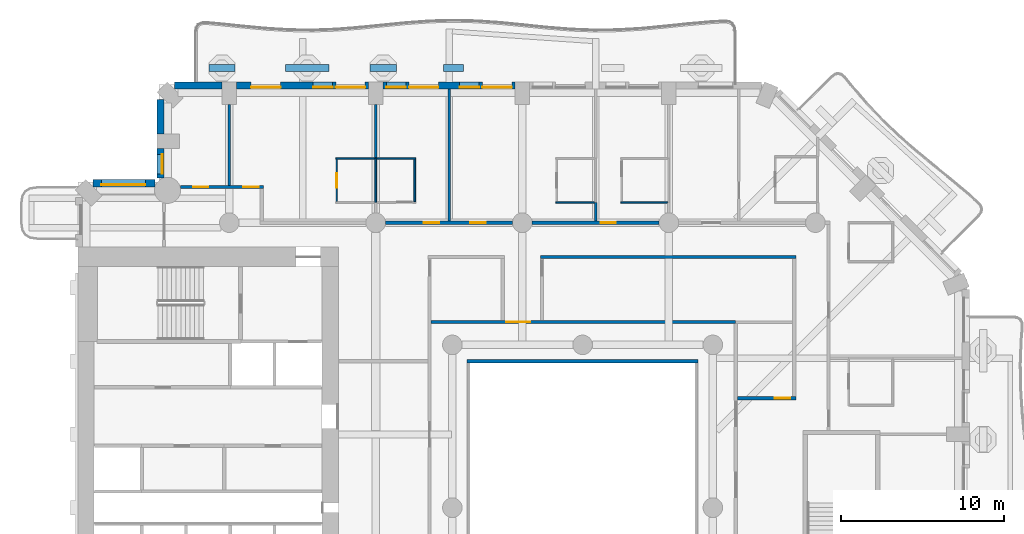
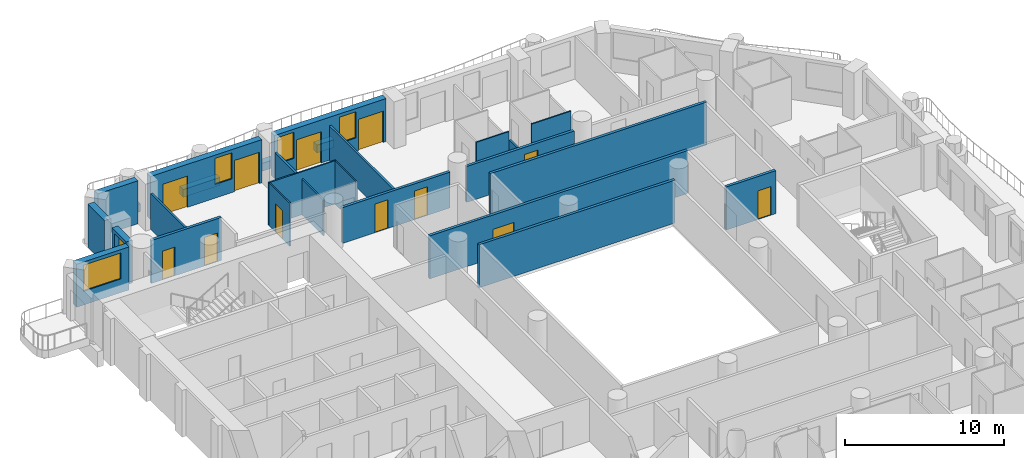
# One storey, part 8 of 20: 27 walls, 12 doors, 5 windows, 17 openings.
"""IFC4 building model written with IfcOpenShell, lengths in metres."""

from ifc_helpers import new_model, si_unit, direction, frame, frame_2d, origin, place, context, subcontext, project, spatial, rectangle, extrude, material, layer, layer_set, type_object, element, fill, save


model = new_model("IFC4")

# Units and contexts
model_context = context("Model", 3, precision=1e-05, world=origin(), true_north=direction((0.0, 1.0)))
body_context = subcontext(model_context, "Body", "Model", "MODEL_VIEW")
ifc_project = project(units=[si_unit("LENGTHUNIT", "METRE"), si_unit("AREAUNIT", "SQUARE_METRE"), si_unit("VOLUMEUNIT", "CUBIC_METRE"), si_unit("PLANEANGLEUNIT", "RADIAN"), si_unit("MASSUNIT", "GRAM", prefix="KILO")], contexts=[model_context])

# Site, building, storey
site_placement = place(None, origin())
site = spatial("IfcSite", under=ifc_project, at=site_placement, CompositionType="ELEMENT")
building_placement = place(site_placement, origin())
building = spatial("IfcBuilding", under=site, at=building_placement, Name="Cypress Arch Tower", CompositionType="ELEMENT")
storey_placement = place(building_placement, frame((0.0, 0.0, 55.5)))
storey = spatial("IfcBuildingStorey", under=building, at=storey_placement, Name="L07", CompositionType="ELEMENT", Elevation=55.5)

# Walls
ifc_material_1 = material(Name="Concrete C40/50, waterproofed", Category="concrete")
ifc_layer_1 = layer(ifc_material_1, 0.449951171875)
ifc_layer_set_1 = layer_set([ifc_layer_1], Name="Balcony planter wall PW450")
wall_type_1 = type_object("IfcWallType", Name="Balcony planter wall PW450", PredefinedType="SOLIDWALL", material=ifc_layer_set_1)
wall_1_placement = place(storey_placement, frame((-6.300048828125, 27.0, 0.0), z_axis=(0.0, 0.0, 1.0), x_axis=(-1.0, 0.0, 0.0)))
element("IfcWall", 1, at=wall_1_placement, inside=storey, type_object=wall_type_1, Name="Balcony planter wall L07-A08.3", PredefinedType="SOLIDWALL", context=body_context, shape_type="SweptSolid", body=[
    extrude(rectangle(XDim=1.25, YDim=0.449951171875, at=frame_2d((0.625, 0.0))), origin(), (0.0, 0.0, 1.0), 0.60009765625),
])
wall_2_placement = place(storey_placement, frame((-10.4375, 27.0, 0.0), z_axis=(0.0, 0.0, 1.0), x_axis=(-1.0, 0.0, 0.0)))
element("IfcWall", 2, at=wall_2_placement, inside=storey, type_object=wall_type_1, Name="Balcony planter wall L07-A08.4", PredefinedType="SOLIDWALL", context=body_context, shape_type="SweptSolid", body=[
    extrude(rectangle(XDim=1.612548828125, YDim=0.449951171875, at=frame_2d((0.80615234375, 0.0))), origin(), (0.0, 0.0, 1.0), 0.60009765625),
])
wall_3_placement = place(storey_placement, frame((-14.574951171875, 27.0, 0.0), z_axis=(0.0, 0.0, 1.0), x_axis=(-1.0, 0.0, 0.0)))
element("IfcWall", 3, at=wall_3_placement, inside=storey, type_object=wall_type_1, Name="Balcony planter wall L07-A08.5", PredefinedType="SOLIDWALL", context=body_context, shape_type="SweptSolid", body=[
    extrude(rectangle(XDim=2.675048828125, YDim=0.449951171875, at=frame_2d((1.33740234375, 0.0))), origin(), (0.0, 0.0, 1.0), 0.60009765625),
])
wall_4_placement = place(storey_placement, frame((-20.35009765625, 27.0, 0.0), z_axis=(0.0, 0.0, 1.0), x_axis=(-1.0, 0.0, 0.0)))
element("IfcWall", 4, at=wall_4_placement, inside=storey, type_object=wall_type_1, Name="Balcony planter wall L07-A08.6", PredefinedType="SOLIDWALL", context=body_context, shape_type="SweptSolid", body=[
    extrude(rectangle(XDim=1.599853515625, YDim=0.449951171875, at=frame_2d((0.7998046875, 0.0))), origin(), (0.0, 0.0, 1.0), 0.60009765625),
])

# Wall, openings, doors, windows
ifc_material_2 = material(Name="Brick (red buff blend)", Category="masonry")
ifc_layer_2 = layer(ifc_material_2, 0.449951171875)
ifc_layer_set_2 = layer_set([ifc_layer_2], Name="Brick pier and spandrel wall BW450")
wall_type_2 = type_object("IfcWallType", Name="Brick pier and spandrel wall BW450", PredefinedType="SOLIDWALL", material=ifc_layer_set_2)
wall_5_placement = place(storey_placement, frame((-3.14990234375, 25.925048828125, 0.0), z_axis=(0.0, 0.0, 1.0), x_axis=(-1.0, 0.0, 0.0)))
wall_5 = element("IfcWall", 5, at=wall_5_placement, inside=storey, type_object=wall_type_2, Name="Brick wall L07 A08.2", PredefinedType="SOLIDWALL", context=body_context, shape_type="SweptSolid", body=[
    extrude(rectangle(XDim=8.10009765625, YDim=0.449951171875, at=frame_2d((4.050048828125, 0.0))), origin(), (0.0, 0.0, 1.0), 3.300048828125),
])
opening_1_placement = place(wall_5_placement, frame((0.199951171875, 0.0, 0.0)))
opening_1 = element("IfcOpeningElement", 6, at=opening_1_placement, cuts=wall_5, Name="Opening D-L07-A08.2.1", PredefinedType="OPENING", context=body_context, shape_type="SweptSolid", body=[
    extrude(rectangle(XDim=1.800048828125, YDim=2.39990234375, at=frame_2d((0.89990234375, 1.199951171875))), frame((0.0, 0.23486328125, 0.0), z_axis=(0.0, -1.0, 0.0), x_axis=(1.0, 0.0, 0.0)), (0.0, 0.0, 1.0), 0.469970703125),
])
opening_2_placement = place(wall_5_placement, frame((2.199951171875, 0.0, 1.050048828125)))
opening_2 = element("IfcOpeningElement", 7, at=opening_2_placement, cuts=wall_5, Name="Opening W120HD", PredefinedType="OPENING", context=body_context, shape_type="SweptSolid", body=[
    extrude(rectangle(XDim=1.199951171875, YDim=2.0, at=frame_2d((0.60009765625, 1.0))), frame((0.0, 0.23486328125, 0.0), z_axis=(0.0, -1.0, 0.0), x_axis=(1.0, 0.0, 0.0)), (0.0, 0.0, 1.0), 0.469970703125),
])
opening_3_placement = place(wall_5_placement, frame((4.699951171875, 0.0, 0.0)))
opening_3 = element("IfcOpeningElement", 8, at=opening_3_placement, cuts=wall_5, Name="Opening D-L07-A08.2.2", PredefinedType="OPENING", context=body_context, shape_type="SweptSolid", body=[
    extrude(rectangle(XDim=1.800048828125, YDim=2.39990234375, at=frame_2d((0.89990234375, 1.199951171875))), frame((0.0, 0.23486328125, 0.0), z_axis=(0.0, -1.0, 0.0), x_axis=(1.0, 0.0, 0.0)), (0.0, 0.0, 1.0), 0.469970703125),
])
opening_4_placement = place(wall_5_placement, frame((6.699951171875, 0.0, 1.050048828125)))
opening_4 = element("IfcOpeningElement", 9, at=opening_4_placement, cuts=wall_5, Name="Opening W120HD", PredefinedType="OPENING", context=body_context, shape_type="SweptSolid", body=[
    extrude(rectangle(XDim=1.199951171875, YDim=2.0, at=frame_2d((0.60009765625, 1.0))), frame((0.0, 0.23486328125, 0.0), z_axis=(0.0, -1.0, 0.0), x_axis=(1.0, 0.0, 0.0)), (0.0, 0.0, 1.0), 0.469970703125),
])
ifc_material_3 = material(Name="Anodised aluminium, bronze finish, laminated low-emissivity double glazing, large-missile impact rated", Category="aluminium")
door_type_1 = type_object("IfcDoorType", Name="Balcony sliding door 1800x2400", OperationType="SLIDING_TO_LEFT", PredefinedType="DOOR", material=ifc_material_3)
door_1_placement = place(opening_1_placement, origin())
door_1 = element("IfcDoor", 10, at=door_1_placement, inside=storey, type_object=door_type_1, Name="Balcony door L07 A08.2.1", OperationType="SLIDING_TO_LEFT", OverallHeight=2.39990234375, OverallWidth=1.800048828125, PredefinedType="DOOR", context=body_context, shape_type="SweptSolid", body=[
    extrude(rectangle(XDim=1.800048828125, YDim=2.39990234375, at=frame_2d((0.89990234375, 1.199951171875))), frame((0.0, 0.1298828125, 0.0), z_axis=(0.0, -1.0, 0.0), x_axis=(1.0, 0.0, 0.0)), (0.0, 0.0, 1.0), 0.050048828125),
])
fill(opening_1, door_1)
door_2_placement = place(opening_3_placement, origin())
door_2 = element("IfcDoor", 11, at=door_2_placement, inside=storey, type_object=door_type_1, Name="Balcony door L07 A08.2.2", OperationType="SLIDING_TO_LEFT", OverallHeight=2.39990234375, OverallWidth=1.800048828125, PredefinedType="DOOR", context=body_context, shape_type="SweptSolid", body=[
    extrude(rectangle(XDim=1.800048828125, YDim=2.39990234375, at=frame_2d((0.89990234375, 1.199951171875))), frame((0.0, 0.1298828125, 0.0), z_axis=(0.0, -1.0, 0.0), x_axis=(1.0, 0.0, 0.0)), (0.0, 0.0, 1.0), 0.050048828125),
])
fill(opening_3, door_2)
ifc_material_4 = material(Name="Anodised aluminium, bronze finish, laminated low-emissivity double glazing, large-missile impact rated", Category="aluminium")
window_type_1 = type_object("IfcWindowType", Name="Window Hotel 1200x2000 debris-rated", PartitioningType="SINGLE_PANEL", PredefinedType="WINDOW", material=ifc_material_4)
window_1_placement = place(opening_2_placement, origin())
window_1 = element("IfcWindow", 12, at=window_1_placement, inside=storey, type_object=window_type_1, Name="Window L07 A08.2.1", OverallHeight=2.0, OverallWidth=1.199951171875, PartitioningType="SINGLE_PANEL", PredefinedType="WINDOW", context=body_context, shape_type="SweptSolid", body=[
    extrude(rectangle(XDim=1.199951171875, YDim=2.0, at=frame_2d((0.60009765625, 1.0))), frame((0.0, 0.135009765625, 0.0), z_axis=(0.0, -1.0, 0.0), x_axis=(1.0, 0.0, 0.0)), (0.0, 0.0, 1.0), 0.06005859375),
])
fill(opening_2, window_1)
window_2_placement = place(opening_4_placement, origin())
window_2 = element("IfcWindow", 13, at=window_2_placement, inside=storey, type_object=window_type_1, Name="Window L07 A08.2.2", OverallHeight=2.0, OverallWidth=1.199951171875, PartitioningType="SINGLE_PANEL", PredefinedType="WINDOW", context=body_context, shape_type="SweptSolid", body=[
    extrude(rectangle(XDim=1.199951171875, YDim=2.0, at=frame_2d((0.60009765625, 1.0))), frame((0.0, 0.135009765625, 0.0), z_axis=(0.0, -1.0, 0.0), x_axis=(1.0, 0.0, 0.0)), (0.0, 0.0, 1.0), 0.06005859375),
])
fill(opening_4, window_2)

# Wall, openings, doors, window
wall_6_placement = place(storey_placement, frame((-12.14990234375, 25.925048828125, 0.0), z_axis=(0.0, 0.0, 1.0), x_axis=(-1.0, 0.0, 0.0)))
wall_6 = element("IfcWall", 14, at=wall_6_placement, inside=storey, type_object=wall_type_2, Name="Brick wall L07 A08.3", PredefinedType="SOLIDWALL", context=body_context, shape_type="SweptSolid", body=[
    extrude(rectangle(XDim=8.10009765625, YDim=0.449951171875, at=frame_2d((4.050048828125, 0.0))), origin(), (0.0, 0.0, 1.0), 3.300048828125),
])
opening_5_placement = place(wall_6_placement, frame((0.199951171875, 0.0, 0.0)))
opening_5 = element("IfcOpeningElement", 15, at=opening_5_placement, cuts=wall_6, Name="Opening D-L07-A08.3.1", PredefinedType="OPENING", context=body_context, shape_type="SweptSolid", body=[
    extrude(rectangle(XDim=1.800048828125, YDim=2.39990234375, at=frame_2d((0.89990234375, 1.199951171875))), frame((0.0, 0.23486328125, 0.0), z_axis=(0.0, -1.0, 0.0), x_axis=(1.0, 0.0, 0.0)), (0.0, 0.0, 1.0), 0.469970703125),
])
opening_6_placement = place(wall_6_placement, frame((2.199951171875, 0.0, 1.050048828125)))
opening_6 = element("IfcOpeningElement", 16, at=opening_6_placement, cuts=wall_6, Name="Opening W120HD", PredefinedType="OPENING", context=body_context, shape_type="SweptSolid", body=[
    extrude(rectangle(XDim=1.199951171875, YDim=2.0, at=frame_2d((0.60009765625, 1.0))), frame((0.0, 0.23486328125, 0.0), z_axis=(0.0, -1.0, 0.0), x_axis=(1.0, 0.0, 0.0)), (0.0, 0.0, 1.0), 0.469970703125),
])
opening_7_placement = place(wall_6_placement, frame((5.39990234375, 0.0, 0.0)))
opening_7 = element("IfcOpeningElement", 17, at=opening_7_placement, cuts=wall_6, Name="Opening D-L07-A08.3.2", PredefinedType="OPENING", context=body_context, shape_type="SweptSolid", body=[
    extrude(rectangle(XDim=1.800048828125, YDim=2.39990234375, at=frame_2d((0.89990234375, 1.199951171875))), frame((0.0, 0.23486328125, 0.0), z_axis=(0.0, -1.0, 0.0), x_axis=(1.0, 0.0, 0.0)), (0.0, 0.0, 1.0), 0.469970703125),
])
door_3_placement = place(opening_5_placement, origin())
door_3 = element("IfcDoor", 18, at=door_3_placement, inside=storey, type_object=door_type_1, Name="Balcony door L07 A08.3.1", OperationType="SLIDING_TO_LEFT", OverallHeight=2.39990234375, OverallWidth=1.800048828125, PredefinedType="DOOR", context=body_context, shape_type="SweptSolid", body=[
    extrude(rectangle(XDim=1.800048828125, YDim=2.39990234375, at=frame_2d((0.89990234375, 1.199951171875))), frame((0.0, 0.1298828125, 0.0), z_axis=(0.0, -1.0, 0.0), x_axis=(1.0, 0.0, 0.0)), (0.0, 0.0, 1.0), 0.050048828125),
])
fill(opening_5, door_3)
door_4_placement = place(opening_7_placement, origin())
door_4 = element("IfcDoor", 19, at=door_4_placement, inside=storey, type_object=door_type_1, Name="Balcony door L07 A08.3.2", OperationType="SLIDING_TO_LEFT", OverallHeight=2.39990234375, OverallWidth=1.800048828125, PredefinedType="DOOR", context=body_context, shape_type="SweptSolid", body=[
    extrude(rectangle(XDim=1.800048828125, YDim=2.39990234375, at=frame_2d((0.89990234375, 1.199951171875))), frame((0.0, 0.1298828125, 0.0), z_axis=(0.0, -1.0, 0.0), x_axis=(1.0, 0.0, 0.0)), (0.0, 0.0, 1.0), 0.050048828125),
])
fill(opening_7, door_4)
window_3_placement = place(opening_6_placement, origin())
window_3 = element("IfcWindow", 20, at=window_3_placement, inside=storey, type_object=window_type_1, Name="Window L07 A08.3.1", OverallHeight=2.0, OverallWidth=1.199951171875, PartitioningType="SINGLE_PANEL", PredefinedType="WINDOW", context=body_context, shape_type="SweptSolid", body=[
    extrude(rectangle(XDim=1.199951171875, YDim=2.0, at=frame_2d((0.60009765625, 1.0))), frame((0.0, 0.135009765625, 0.0), z_axis=(0.0, -1.0, 0.0), x_axis=(1.0, 0.0, 0.0)), (0.0, 0.0, 1.0), 0.06005859375),
])
fill(opening_6, window_3)

# Walls
wall_7_placement = place(storey_placement, frame((-21.14990234375, 25.925048828125, 0.0), z_axis=(0.0, 0.0, 1.0), x_axis=(-1.0, 0.0, 0.0)))
element("IfcWall", 21, at=wall_7_placement, inside=storey, type_object=wall_type_2, Name="Brick wall L07 A08.4", PredefinedType="SOLIDWALL", context=body_context, shape_type="SweptSolid", body=[
    extrude(rectangle(XDim=2.913818359375, YDim=0.449951171875, at=frame_2d((1.45703125, 0.0))), origin(), (0.0, 0.0, 1.0), 3.300048828125),
])
wall_8_placement = place(storey_placement, frame((-24.925048828125, 25.063720703125, 0.0), z_axis=(0.0, 0.0, 1.0), x_axis=(0.0, -1.0, 0.0)))
element("IfcWall", 22, at=wall_8_placement, inside=storey, type_object=wall_type_2, Name="Brick wall L07 A09.0", PredefinedType="SOLIDWALL", context=body_context, shape_type="SweptSolid", body=[
    extrude(rectangle(XDim=2.11376953125, YDim=0.449951171875, at=frame_2d((1.056884765625, 0.0))), origin(), (0.0, 0.0, 1.0), 3.300048828125),
])

# Wall, opening, window
wall_9_placement = place(storey_placement, frame((-24.925048828125, 22.050048828125, 0.0), z_axis=(0.0, 0.0, 1.0), x_axis=(0.0, -1.0, 0.0)))
wall_9 = element("IfcWall", 23, at=wall_9_placement, inside=storey, type_object=wall_type_2, Name="Brick wall L07 A09.1", PredefinedType="SOLIDWALL", context=body_context, shape_type="SweptSolid", body=[
    extrude(rectangle(XDim=1.79150390625, YDim=0.449951171875, at=frame_2d((0.895751953125, 0.0))), origin(), (0.0, 0.0, 1.0), 3.300048828125),
])
opening_8_placement = place(wall_9_placement, frame((0.35009765625, 0.0, 1.050048828125)))
opening_8 = element("IfcOpeningElement", 24, at=opening_8_placement, cuts=wall_9, Name="Opening W120H", PredefinedType="OPENING", context=body_context, shape_type="SweptSolid", body=[
    extrude(rectangle(XDim=1.199951171875, YDim=2.0, at=frame_2d((0.60009765625, 1.0))), frame((0.0, 0.23486328125, 0.0), z_axis=(0.0, -1.0, 0.0), x_axis=(1.0, 0.0, 0.0)), (0.0, 0.0, 1.0), 0.469970703125),
])
ifc_material_5 = material(Name="Anodised aluminium, bronze finish, clear low-emissivity double glazing", Category="aluminium")
window_type_2 = type_object("IfcWindowType", Name="Window Hotel 1200x2000", PartitioningType="SINGLE_PANEL", PredefinedType="WINDOW", material=ifc_material_5)
window_4_placement = place(opening_8_placement, origin())
window_4 = element("IfcWindow", 25, at=window_4_placement, inside=storey, type_object=window_type_2, Name="Window L07 A09.1.1", OverallHeight=2.0, OverallWidth=1.199951171875, PartitioningType="SINGLE_PANEL", PredefinedType="WINDOW", context=body_context, shape_type="SweptSolid", body=[
    extrude(rectangle(XDim=1.199951171875, YDim=2.0, at=frame_2d((0.60009765625, 1.0))), frame((0.0, 0.135009765625, 0.0), z_axis=(0.0, -1.0, 0.0), x_axis=(1.0, 0.0, 0.0)), (0.0, 0.0, 1.0), 0.06005859375),
])
fill(opening_8, window_4)

wall_10_placement = place(storey_placement, frame((-25.258544921875, 19.925048828125, 0.0), z_axis=(0.0, 0.0, 1.0), x_axis=(-1.0, 0.0, 0.0)))
wall_10 = element("IfcWall", 26, at=wall_10_placement, inside=storey, type_object=wall_type_2, Name="Brick wall L07 A10.0", PredefinedType="SOLIDWALL", context=body_context, shape_type="SweptSolid", body=[
    extrude(rectangle(XDim=3.80517578125, YDim=0.449951171875, at=frame_2d((1.902587890625, 0.0))), origin(), (0.0, 0.0, 1.0), 3.300048828125),
])
opening_9_placement = place(wall_10_placement, frame((0.591552734375, 0.0, 1.050048828125)))
opening_9 = element("IfcOpeningElement", 27, at=opening_9_placement, cuts=wall_10, Name="Opening W270H", PredefinedType="OPENING", context=body_context, shape_type="SweptSolid", body=[
    extrude(rectangle(XDim=2.699951171875, YDim=2.0, at=frame_2d((1.35009765625, 1.0))), frame((0.0, 0.23486328125, 0.0), z_axis=(0.0, -1.0, 0.0), x_axis=(1.0, 0.0, 0.0)), (0.0, 0.0, 1.0), 0.469970703125),
])
ifc_material_6 = material(Name="Anodised aluminium, bronze finish, clear low-emissivity double glazing", Category="aluminium")
window_type_3 = type_object("IfcWindowType", Name="Window Hotel 2700x2000", PartitioningType="SINGLE_PANEL", PredefinedType="WINDOW", material=ifc_material_6)
window_5_placement = place(opening_9_placement, origin())
window_5 = element("IfcWindow", 28, at=window_5_placement, inside=storey, type_object=window_type_3, Name="Window L07 A10.0.1", OverallHeight=2.0, OverallWidth=2.699951171875, PartitioningType="SINGLE_PANEL", PredefinedType="WINDOW", context=body_context, shape_type="SweptSolid", body=[
    extrude(rectangle(XDim=2.699951171875, YDim=2.0, at=frame_2d((1.35009765625, 1.0))), frame((0.0, 0.135009765625, 0.0), z_axis=(0.0, -1.0, 0.0), x_axis=(1.0, 0.0, 0.0)), (0.0, 0.0, 1.0), 0.06005859375),
])
fill(opening_9, window_5)

# Wall, openings, doors
ifc_material_7 = material(Name="Concrete blockwork, plastered, rated", Category="masonry")
ifc_layer_3 = layer(ifc_material_7, 0.199951171875)
ifc_layer_set_3 = layer_set([ifc_layer_3], Name="Corridor wall FW200")
wall_type_3 = type_object("IfcWallType", Name="Corridor wall FW200", PredefinedType="PARTITIONING", material=ifc_layer_set_3)
wall_11_placement = place(storey_placement, frame((-23.7001953125, 19.699951171875, 0.0), z_axis=(0.0, 0.0, 1.0), x_axis=(1.0, 0.0, 0.0)))
wall_11 = element("IfcWall", 29, at=wall_11_placement, inside=storey, type_object=wall_type_3, Name="Corridor wall", PredefinedType="PARTITIONING", context=body_context, shape_type="SweptSolid", body=[
    extrude(rectangle(XDim=5.10009765625, YDim=0.199951171875, at=frame_2d((2.550048828125, 0.0))), origin(), (0.0, 0.0, 1.0), 3.300048828125),
])
opening_10_placement = place(wall_11_placement, frame((0.800048828125, 0.0, 0.0)))
opening_10 = element("IfcOpeningElement", 30, at=opening_10_placement, cuts=wall_11, Name="Opening D05", PredefinedType="OPENING", context=body_context, shape_type="SweptSolid", body=[
    extrude(rectangle(XDim=0.89990234375, YDim=2.199951171875, at=frame_2d((0.449951171875, 1.10009765625))), frame((0.0, 0.10986328125, 0.0), z_axis=(0.0, -1.0, 0.0), x_axis=(1.0, 0.0, 0.0)), (0.0, 0.0, 1.0), 0.219970703125),
])
opening_11_placement = place(wall_11_placement, frame((3.85009765625, 0.0, 0.0)))
opening_11 = element("IfcOpeningElement", 31, at=opening_11_placement, cuts=wall_11, Name="Opening D02", PredefinedType="OPENING", context=body_context, shape_type="SweptSolid", body=[
    extrude(rectangle(XDim=0.949951171875, YDim=2.199951171875, at=frame_2d((0.47509765625, 1.10009765625))), frame((0.0, 0.10986328125, 0.0), z_axis=(0.0, -1.0, 0.0), x_axis=(1.0, 0.0, 0.0)), (0.0, 0.0, 1.0), 0.219970703125),
])
ifc_material_8 = material(Name="Timber flush door, fire resisting", Category="wood")
door_type_2 = type_object("IfcDoorType", Name="Room door D02 950x2200", OperationType="SINGLE_SWING_LEFT", PredefinedType="DOOR", material=ifc_material_8)
door_5_placement = place(opening_11_placement, origin())
door_5 = element("IfcDoor", 32, at=door_5_placement, inside=storey, type_object=door_type_2, Name="Room door", OperationType="SINGLE_SWING_LEFT", OverallHeight=2.199951171875, OverallWidth=0.949951171875, PredefinedType="DOOR", context=body_context, shape_type="SweptSolid", body=[
    extrude(rectangle(XDim=0.949951171875, YDim=2.199951171875, at=frame_2d((0.47509765625, 1.10009765625))), frame((0.0, 0.02490234375, 0.0), z_axis=(0.0, -1.0, 0.0), x_axis=(1.0, 0.0, 0.0)), (0.0, 0.0, 1.0), 0.050048828125),
])
fill(opening_11, door_5)
ifc_material_9 = material(Name="Timber flush door", Category="wood")
door_type_3 = type_object("IfcDoorType", Name="Service door D05 900x2200", OperationType="SINGLE_SWING_LEFT", PredefinedType="DOOR", material=ifc_material_9)
door_6_placement = place(opening_10_placement, origin())
door_6 = element("IfcDoor", 33, at=door_6_placement, inside=storey, type_object=door_type_3, Name="Service door", OperationType="SINGLE_SWING_LEFT", OverallHeight=2.199951171875, OverallWidth=0.89990234375, PredefinedType="DOOR", context=body_context, shape_type="SweptSolid", body=[
    extrude(rectangle(XDim=0.89990234375, YDim=2.199951171875, at=frame_2d((0.449951171875, 1.10009765625))), frame((0.0, 0.02490234375, 0.0), z_axis=(0.0, -1.0, 0.0), x_axis=(1.0, 0.0, 0.0)), (0.0, 0.0, 1.0), 0.050048828125),
])
fill(opening_10, door_6)

wall_12_placement = place(storey_placement, frame((-11.10009765625, 17.5, 0.0), z_axis=(0.0, 0.0, 1.0), x_axis=(1.0, 0.0, 0.0)))
wall_12 = element("IfcWall", 34, at=wall_12_placement, inside=storey, type_object=wall_type_3, Name="Corridor wall", PredefinedType="PARTITIONING", context=body_context, shape_type="SweptSolid", body=[
    extrude(rectangle(XDim=7.800048828125, YDim=0.199951171875, at=frame_2d((3.89990234375, 0.0))), origin(), (0.0, 0.0, 1.0), 2.75),
])
opening_12_placement = place(wall_12_placement, frame((2.35009765625, 0.0, 0.0)))
opening_12 = element("IfcOpeningElement", 35, at=opening_12_placement, cuts=wall_12, Name="Opening D02", PredefinedType="OPENING", context=body_context, shape_type="SweptSolid", body=[
    extrude(rectangle(XDim=0.949951171875, YDim=2.199951171875, at=frame_2d((0.47509765625, 1.10009765625))), frame((0.0, 0.10986328125, 0.0), z_axis=(0.0, -1.0, 0.0), x_axis=(1.0, 0.0, 0.0)), (0.0, 0.0, 1.0), 0.219970703125),
])
opening_13_placement = place(wall_12_placement, frame((5.199951171875, 0.0, 0.0)))
opening_13 = element("IfcOpeningElement", 36, at=opening_13_placement, cuts=wall_12, Name="Opening D02", PredefinedType="OPENING", context=body_context, shape_type="SweptSolid", body=[
    extrude(rectangle(XDim=0.949951171875, YDim=2.199951171875, at=frame_2d((0.47509765625, 1.10009765625))), frame((0.0, 0.10986328125, 0.0), z_axis=(0.0, -1.0, 0.0), x_axis=(1.0, 0.0, 0.0)), (0.0, 0.0, 1.0), 0.219970703125),
])
door_7_placement = place(opening_12_placement, origin())
door_7 = element("IfcDoor", 37, at=door_7_placement, inside=storey, type_object=door_type_2, Name="Room door", OperationType="SINGLE_SWING_RIGHT", OverallHeight=2.199951171875, OverallWidth=0.949951171875, PredefinedType="DOOR", context=body_context, shape_type="SweptSolid", body=[
    extrude(rectangle(XDim=0.949951171875, YDim=2.199951171875, at=frame_2d((0.47509765625, 1.10009765625))), frame((0.0, 0.02490234375, 0.0), z_axis=(0.0, -1.0, 0.0), x_axis=(1.0, 0.0, 0.0)), (0.0, 0.0, 1.0), 0.050048828125),
])
fill(opening_12, door_7)
door_8_placement = place(opening_13_placement, origin())
door_8 = element("IfcDoor", 38, at=door_8_placement, inside=storey, type_object=door_type_2, Name="Room door", OperationType="SINGLE_SWING_LEFT", OverallHeight=2.199951171875, OverallWidth=0.949951171875, PredefinedType="DOOR", context=body_context, shape_type="SweptSolid", body=[
    extrude(rectangle(XDim=0.949951171875, YDim=2.199951171875, at=frame_2d((0.47509765625, 1.10009765625))), frame((0.0, 0.02490234375, 0.0), z_axis=(0.0, -1.0, 0.0), x_axis=(1.0, 0.0, 0.0)), (0.0, 0.0, 1.0), 0.050048828125),
])
fill(opening_13, door_8)

# Wall, opening, door
wall_13_placement = place(storey_placement, frame((-2.10009765625, 17.5, 0.0), z_axis=(0.0, 0.0, 1.0), x_axis=(1.0, 0.0, 0.0)))
wall_13 = element("IfcWall", 39, at=wall_13_placement, inside=storey, type_object=wall_type_3, Name="Corridor wall", PredefinedType="PARTITIONING", context=body_context, shape_type="SweptSolid", body=[
    extrude(rectangle(XDim=7.800048828125, YDim=0.199951171875, at=frame_2d((3.89990234375, 0.0))), origin(), (0.0, 0.0, 1.0), 2.75),
])
opening_14_placement = place(wall_13_placement, frame((4.199951171875, 0.0, 0.0)))
opening_14 = element("IfcOpeningElement", 40, at=opening_14_placement, cuts=wall_13, Name="Opening D02", PredefinedType="OPENING", context=body_context, shape_type="SweptSolid", body=[
    extrude(rectangle(XDim=0.949951171875, YDim=2.199951171875, at=frame_2d((0.47509765625, 1.10009765625))), frame((0.0, 0.10986328125, 0.0), z_axis=(0.0, -1.0, 0.0), x_axis=(1.0, 0.0, 0.0)), (0.0, 0.0, 1.0), 0.219970703125),
])
door_9_placement = place(opening_14_placement, origin())
door_9 = element("IfcDoor", 41, at=door_9_placement, inside=storey, type_object=door_type_2, Name="Room door", OperationType="SINGLE_SWING_LEFT", OverallHeight=2.199951171875, OverallWidth=0.949951171875, PredefinedType="DOOR", context=body_context, shape_type="SweptSolid", body=[
    extrude(rectangle(XDim=0.949951171875, YDim=2.199951171875, at=frame_2d((0.47509765625, 1.10009765625))), frame((0.0, 0.02490234375, 0.0), z_axis=(0.0, -1.0, 0.0), x_axis=(1.0, 0.0, 0.0)), (0.0, 0.0, 1.0), 0.050048828125),
])
fill(opening_14, door_9)

wall_14_placement = place(storey_placement, frame((-8.300048828125, 11.39990234375, 0.0), z_axis=(0.0, 0.0, 1.0), x_axis=(1.0, 0.0, 0.0)))
wall_14 = element("IfcWall", 42, at=wall_14_placement, inside=storey, type_object=wall_type_3, Name="Corridor wall", PredefinedType="PARTITIONING", context=body_context, shape_type="SweptSolid", body=[
    extrude(rectangle(XDim=18.699951171875, YDim=0.199951171875, at=frame_2d((9.35009765625, 0.0))), origin(), (0.0, 0.0, 1.0), 3.300048828125),
])
opening_15_placement = place(wall_14_placement, frame((4.60009765625, 0.0, 0.0)))
opening_15 = element("IfcOpeningElement", 43, at=opening_15_placement, cuts=wall_14, Name="Opening D04", PredefinedType="OPENING", context=body_context, shape_type="SweptSolid", body=[
    extrude(rectangle(XDim=1.5, YDim=2.199951171875, at=frame_2d((0.75, 1.10009765625))), frame((0.0, 0.10986328125, 0.0), z_axis=(0.0, -1.0, 0.0), x_axis=(1.0, 0.0, 0.0)), (0.0, 0.0, 1.0), 0.219970703125),
])
ifc_material_10 = material(Name="Timber double door", Category="wood")
door_type_4 = type_object("IfcDoorType", Name="Double door D04 1500x2200", OperationType="DOUBLE_DOOR_SINGLE_SWING", PredefinedType="DOOR", material=ifc_material_10)
door_10_placement = place(opening_15_placement, origin())
door_10 = element("IfcDoor", 44, at=door_10_placement, inside=storey, type_object=door_type_4, Name="Double door", OperationType="DOUBLE_DOOR_SINGLE_SWING", OverallHeight=2.199951171875, OverallWidth=1.5, PredefinedType="DOOR", context=body_context, shape_type="SweptSolid", body=[
    extrude(rectangle(XDim=1.5, YDim=2.199951171875, at=frame_2d((0.75, 1.10009765625))), frame((0.0, 0.02490234375, 0.0), z_axis=(0.0, -1.0, 0.0), x_axis=(1.0, 0.0, 0.0)), (0.0, 0.0, 1.0), 0.050048828125),
])
fill(opening_15, door_10)

# Walls
wall_15_placement = place(storey_placement, frame((-6.10009765625, 9.0, 0.0), z_axis=(0.0, 0.0, 1.0), x_axis=(1.0, 0.0, 0.0)))
element("IfcWall", 45, at=wall_15_placement, inside=storey, type_object=wall_type_3, Name="Corridor wall", PredefinedType="PARTITIONING", context=body_context, shape_type="SweptSolid", body=[
    extrude(rectangle(XDim=14.2001953125, YDim=0.199951171875, at=frame_2d((7.10009765625, 0.0))), origin(), (0.0, 0.0, 1.0), 3.300048828125),
])
wall_16_placement = place(storey_placement, frame((-1.60009765625, 15.39990234375, 0.0), z_axis=(0.0, 0.0, 1.0), x_axis=(1.0, 0.0, 0.0)))
element("IfcWall", 46, at=wall_16_placement, inside=storey, type_object=wall_type_3, Name="Corridor wall", PredefinedType="PARTITIONING", context=body_context, shape_type="SweptSolid", body=[
    extrude(rectangle(XDim=15.7001953125, YDim=0.199951171875, at=frame_2d((7.85009765625, 0.0))), origin(), (0.0, 0.0, 1.0), 3.300048828125),
])

# Wall, opening, door
wall_17_placement = place(storey_placement, frame((10.5, 6.72509765625, 0.0), z_axis=(0.0, 0.0, 1.0), x_axis=(1.0, 0.0, 0.0)))
wall_17 = element("IfcWall", 47, at=wall_17_placement, inside=storey, type_object=wall_type_3, Name="Corridor wall", PredefinedType="PARTITIONING", context=body_context, shape_type="SweptSolid", body=[
    extrude(rectangle(XDim=3.60009765625, YDim=0.199951171875, at=frame_2d((1.800048828125, 0.0))), origin(), (0.0, 0.0, 1.0), 3.300048828125),
])
opening_16_placement = place(wall_17_placement, frame((2.300048828125, 0.0, 0.0)))
opening_16 = element("IfcOpeningElement", 48, at=opening_16_placement, cuts=wall_17, Name="Opening D02", PredefinedType="OPENING", context=body_context, shape_type="SweptSolid", body=[
    extrude(rectangle(XDim=0.949951171875, YDim=2.199951171875, at=frame_2d((0.47509765625, 1.10009765625))), frame((0.0, 0.10986328125, 0.0), z_axis=(0.0, -1.0, 0.0), x_axis=(1.0, 0.0, 0.0)), (0.0, 0.0, 1.0), 0.219970703125),
])
door_11_placement = place(opening_16_placement, origin())
door_11 = element("IfcDoor", 49, at=door_11_placement, inside=storey, type_object=door_type_2, Name="Room door", OperationType="SINGLE_SWING_RIGHT", OverallHeight=2.199951171875, OverallWidth=0.949951171875, PredefinedType="DOOR", context=body_context, shape_type="SweptSolid", body=[
    extrude(rectangle(XDim=0.949951171875, YDim=2.199951171875, at=frame_2d((0.47509765625, 1.10009765625))), frame((0.0, 0.02490234375, 0.0), z_axis=(0.0, -1.0, 0.0), x_axis=(1.0, 0.0, 0.0)), (0.0, 0.0, 1.0), 0.050048828125),
])
fill(opening_16, door_11)

# Walls
ifc_material_11 = material(Name="Blockwork, plastered both sides", Category="masonry")
ifc_layer_4 = layer(ifc_material_11, 0.14990234375)
ifc_layer_set_4 = layer_set([ifc_layer_4], Name="Partition PW150")
wall_type_4 = type_object("IfcWallType", Name="Partition PW150", PredefinedType="PARTITIONING", material=ifc_layer_set_4)
wall_18_placement = place(storey_placement, frame((-20.699951171875, 19.800048828125, 0.0), z_axis=(0.0, 0.0, 1.0), x_axis=(0.0, 1.0, 0.0)))
element("IfcWall", 50, at=wall_18_placement, inside=storey, type_object=wall_type_4, Name="Partition", PredefinedType="PARTITIONING", context=body_context, shape_type="SweptSolid", body=[
    extrude(rectangle(XDim=4.949951171875, YDim=0.14990234375, at=frame_2d((2.47509765625, 0.0))), origin(), (0.0, 0.0, 1.0), 2.75),
])
wall_19_placement = place(storey_placement, frame((-11.699951171875, 21.449951171875, 0.0), z_axis=(0.0, 0.0, 1.0), x_axis=(0.0, 1.0, 0.0)))
element("IfcWall", 51, at=wall_19_placement, inside=storey, type_object=wall_type_4, Name="Partition", PredefinedType="PARTITIONING", context=body_context, shape_type="SweptSolid", body=[
    extrude(rectangle(XDim=3.300048828125, YDim=0.14990234375, at=frame_2d((1.64990234375, 0.0))), origin(), (0.0, 0.0, 1.0), 2.75),
])
wall_20_placement = place(storey_placement, frame((-7.199951171875, 17.60009765625, 0.0), z_axis=(0.0, 0.0, 1.0), x_axis=(0.0, 1.0, 0.0)))
element("IfcWall", 52, at=wall_20_placement, inside=storey, type_object=wall_type_4, Name="Partition", PredefinedType="PARTITIONING", context=body_context, shape_type="SweptSolid", body=[
    extrude(rectangle(XDim=8.099853515625, YDim=0.14990234375, at=frame_2d((4.0498046875, 0.0))), origin(), (0.0, 0.0, 1.0), 2.64990234375),
])
wall_21_placement = place(storey_placement, frame((1.800048828125, 17.60009765625, 0.0), z_axis=(0.0, 0.0, 1.0), x_axis=(0.0, 1.0, 0.0)))
element("IfcWall", 53, at=wall_21_placement, inside=storey, type_object=wall_type_4, Name="Partition", PredefinedType="PARTITIONING", context=body_context, shape_type="SweptSolid", body=[
    extrude(rectangle(XDim=1.1298828125, YDim=0.14990234375, at=frame_2d((0.56494140625, 0.0))), origin(), (0.0, 0.0, 1.0), 2.64990234375),
])

# Wall, opening, door
ifc_material_12 = material(Name="Moisture resistant board on steel studs, tiled", Category="steel")
ifc_layer_5 = layer(ifc_material_12, 0.10009765625)
ifc_layer_set_5 = layer_set([ifc_layer_5], Name="Wet wall PW100")
wall_type_5 = type_object("IfcWallType", Name="Wet wall PW100", PredefinedType="PARTITIONING", material=ifc_layer_set_5)
wall_22_placement = place(storey_placement, frame((-14.095947265625, 18.800048828125, 0.0), z_axis=(0.0, 0.0, 1.0), x_axis=(0.0, 1.0, 0.0)))
wall_22 = element("IfcWall", 54, at=wall_22_placement, inside=storey, type_object=wall_type_5, Name="Wet wall", PredefinedType="PARTITIONING", context=body_context, shape_type="SweptSolid", body=[
    extrude(rectangle(XDim=2.599853515625, YDim=0.10009765625, at=frame_2d((1.2998046875, 0.0))), origin(), (0.0, 0.0, 1.0), 3.300048828125),
])
opening_17_placement = place(wall_22_placement, frame((0.85009765625, 0.0, 0.0)))
opening_17 = element("IfcOpeningElement", 55, at=opening_17_placement, cuts=wall_22, Name="Opening D03", PredefinedType="OPENING", context=body_context, shape_type="SweptSolid", body=[
    extrude(rectangle(XDim=0.89990234375, YDim=2.199951171875, at=frame_2d((0.449951171875, 1.10009765625))), frame((0.0, 0.06005859375, 0.0), z_axis=(0.0, -1.0, 0.0), x_axis=(1.0, 0.0, 0.0)), (0.0, 0.0, 1.0), 0.1201171875),
])
ifc_material_13 = material(Name="Timber flush door, moisture resistant", Category="wood")
door_type_5 = type_object("IfcDoorType", Name="Bathroom door D03 900x2200", OperationType="SINGLE_SWING_LEFT", PredefinedType="DOOR", material=ifc_material_13)
door_12_placement = place(opening_17_placement, origin())
door_12 = element("IfcDoor", 56, at=door_12_placement, inside=storey, type_object=door_type_5, Name="Bathroom door", OperationType="SINGLE_SWING_RIGHT", OverallHeight=2.199951171875, OverallWidth=0.89990234375, PredefinedType="DOOR", context=body_context, shape_type="SweptSolid", body=[
    extrude(rectangle(XDim=0.89990234375, YDim=2.199951171875, at=frame_2d((0.449951171875, 1.10009765625))), frame((0.0, 0.02490234375, 0.0), z_axis=(0.0, -1.0, 0.0), x_axis=(1.0, 0.0, 0.0)), (0.0, 0.0, 1.0), 0.050048828125),
])
fill(opening_17, door_12)

# Walls
wall_23_placement = place(storey_placement, frame((-14.14599609375, 21.449951171875, 0.0), z_axis=(0.0, 0.0, 1.0), x_axis=(1.0, 0.0, 0.0)))
element("IfcWall", 57, at=wall_23_placement, inside=storey, type_object=wall_type_5, Name="Wet wall", PredefinedType="PARTITIONING", context=body_context, shape_type="SweptSolid", body=[
    extrude(rectangle(XDim=4.89208984375, YDim=0.10009765625, at=frame_2d((2.446044921875, 0.0))), origin(), (0.0, 0.0, 1.0), 3.300048828125),
])
wall_24_placement = place(storey_placement, frame((-11.699951171875, 18.72998046875, 0.0), z_axis=(0.0, 0.0, 1.0), x_axis=(0.0, 1.0, 0.0)))
element("IfcWall", 58, at=wall_24_placement, inside=storey, type_object=wall_type_5, Name="Wet wall", PredefinedType="PARTITIONING", context=body_context, shape_type="SweptSolid", body=[
    extrude(rectangle(XDim=2.719970703125, YDim=0.10009765625, at=frame_2d((1.35986328125, 0.0))), origin(), (0.0, 0.0, 1.0), 2.75),
])
wall_25_placement = place(storey_placement, frame((-9.303955078125, 18.800048828125, 0.0), z_axis=(0.0, 0.0, 1.0), x_axis=(0.0, 1.0, 0.0)))
element("IfcWall", 59, at=wall_25_placement, inside=storey, type_object=wall_type_5, Name="Wet wall", PredefinedType="PARTITIONING", context=body_context, shape_type="SweptSolid", body=[
    extrude(rectangle(XDim=2.599853515625, YDim=0.10009765625, at=frame_2d((1.2998046875, 0.0))), origin(), (0.0, 0.0, 1.0), 3.300048828125),
])
wall_26_placement = place(storey_placement, frame((-0.64599609375, 18.75, 0.0), z_axis=(0.0, 0.0, 1.0), x_axis=(1.0, 0.0, 0.0)))
element("IfcWall", 60, at=wall_26_placement, inside=storey, type_object=wall_type_5, Name="Wet wall", PredefinedType="PARTITIONING", context=body_context, shape_type="SweptSolid", body=[
    extrude(rectangle(XDim=2.37109375, YDim=0.10009765625, at=frame_2d((1.185546875, 0.0))), origin(), (0.0, 0.0, 1.0), 3.300048828125),
])
wall_27_placement = place(storey_placement, frame((3.35400390625, 18.75, 0.0), z_axis=(0.0, 0.0, 1.0), x_axis=(1.0, 0.0, 0.0)))
element("IfcWall", 61, at=wall_27_placement, inside=storey, type_object=wall_type_5, Name="Wet wall", PredefinedType="PARTITIONING", context=body_context, shape_type="SweptSolid", body=[
    extrude(rectangle(XDim=2.87109375, YDim=0.10009765625, at=frame_2d((1.435546875, 0.0))), origin(), (0.0, 0.0, 1.0), 3.300048828125),
])

save(model, "model.ifc")
